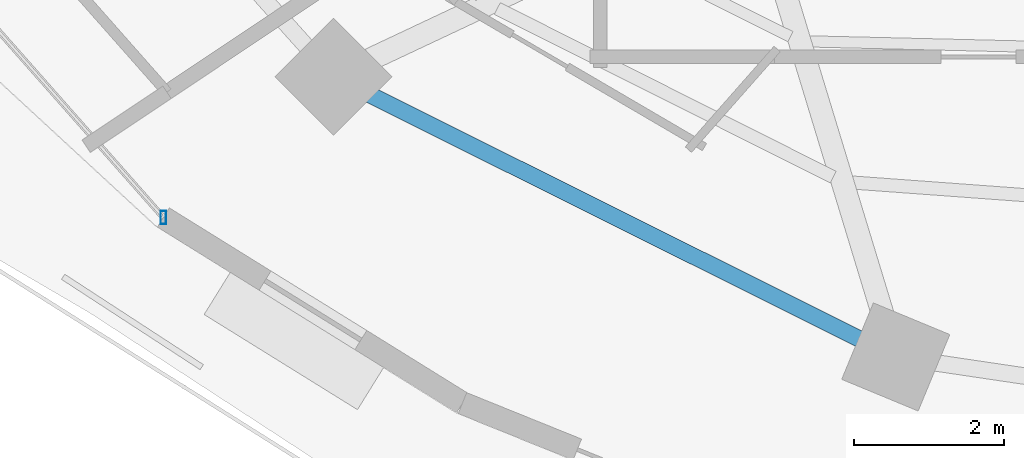
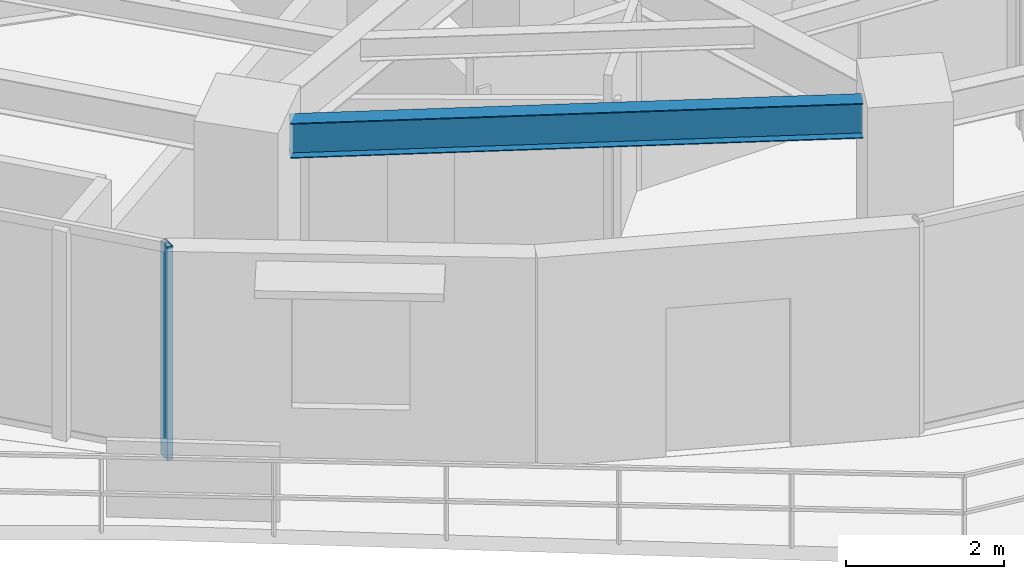
# One storey, part 2 of 29: 1 beam, 1 member, 1 element without a shape of its own.
"""IFC4 building model written with IfcOpenShell, lengths in metres."""

from ifc_helpers import new_model, si_unit, direction, frame, origin, origin_2d, place, context, subcontext, project, spatial, hollow_rectangle, i_section, extrude, material, material_profile, profile_set, type_object, element, aggregate, save


model = new_model("IFC4")

# Units and contexts
model_context = context("Model", 3, precision=1e-05, world=origin(), true_north=direction((0.0, 1.0)))
body_context = subcontext(model_context, "Body", "Model", "MODEL_VIEW")
ifc_project = project(units=[si_unit("LENGTHUNIT", "METRE"), si_unit("AREAUNIT", "SQUARE_METRE"), si_unit("VOLUMEUNIT", "CUBIC_METRE"), si_unit("PLANEANGLEUNIT", "RADIAN"), si_unit("MASSUNIT", "GRAM", prefix="KILO")], contexts=[model_context])

# Site, building, storey
site_placement = place(None, origin())
site = spatial("IfcSite", under=ifc_project, at=site_placement, CompositionType="ELEMENT")
building_placement = place(site_placement, origin())
building = spatial("IfcBuilding", under=site, at=building_placement, Name="Vorneva Point Tower", CompositionType="ELEMENT")
storey_placement = place(building_placement, frame((0.0, 0.0, 85.800048828125)))
storey = spatial("IfcBuildingStorey", under=building, at=storey_placement, Name="L22", CompositionType="ELEMENT", Elevation=85.800048828125)

# Beam
ifc_material_1 = material(Name="Steel S355", Category="steel")
ifc_material_profile_1 = material_profile(ifc_material_1, i_section(OverallWidth=0.219970703125, OverallDepth=0.54296875, WebThickness=0.009521484375, FlangeThickness=0.013427734375, at=origin_2d()), Name="55B1")
ifc_profile_set_1 = profile_set([ifc_material_profile_1], Name="Steel S355")
beam_type = type_object("IfcBeamType", Name="BM-SPN-55B1", PredefinedType="SPANDREL", material=ifc_profile_set_1)
beam_placement = place(storey_placement, frame((22.179931640625, 13.59912109375, 2.968505859375), z_axis=(0.894915882304, -0.446234874926, 0.0), x_axis=(0.446234874926, 0.894915882304, 0.0)))
element("IfcBeam", 1, at=beam_placement, inside=storey, type_object=beam_type, Name="L22 Perimeter Spandrel Ring Beam 11", PredefinedType="SPANDREL", context=body_context, shape_type="SweptSolid", body=[
    extrude(i_section(OverallWidth=0.219970703125, OverallDepth=0.54296875, WebThickness=0.009521484375, FlangeThickness=0.013427734375, at=origin_2d()), origin(), (0.0, 0.0, 1.0), 7.285888671875),
])

# Curtain wall, member
ifc_material_2 = material(Name="Pale anodised aluminium", Category="aluminium")
curtain_wall_type = type_object("IfcCurtainWallType", Name="CW-HTL-SYS", PredefinedType="NOTDEFINED", material=ifc_material_2)
curtain_wall_placement = place(storey_placement, origin())
curtain_wall = element("IfcCurtainWall", 2, at=curtain_wall_placement, inside=storey, type_object=curtain_wall_type, Name="L22 Unitised Curtain Wall CW-L22-R02", PredefinedType="NOTDEFINED")
ifc_material_profile_2 = material_profile(ifc_material_2, hollow_rectangle(XDim=0.074951171875, YDim=0.179931640625, WallThickness=0.00390625, at=origin_2d()), Name="AL-MUL 180x75x4")
ifc_profile_set_2 = profile_set([ifc_material_profile_2], Name="Pale anodised aluminium")
member_type = type_object("IfcMemberType", Name="CW-MUL-180", PredefinedType="MULLION", material=ifc_profile_set_2)
member_placement = place(storey_placement, frame((19.4384765625, 11.9638671875, -0.0400390625), z_axis=(0.0, 0.0, 1.0), x_axis=(1.0, 0.0, 0.0)))
member = element("IfcMember", 3, at=member_placement, type_object=member_type, Name="CW-L22-R02 Mullion 05", PredefinedType="MULLION", context=body_context, shape_type="SweptSolid", body=[
    extrude(hollow_rectangle(XDim=0.074951171875, YDim=0.179931640625, WallThickness=0.00390625, at=origin_2d()), origin(), (0.0, 0.0, 1.0), 3.31005859375),
])
aggregate(curtain_wall, [member])

save(model, "model.ifc")
